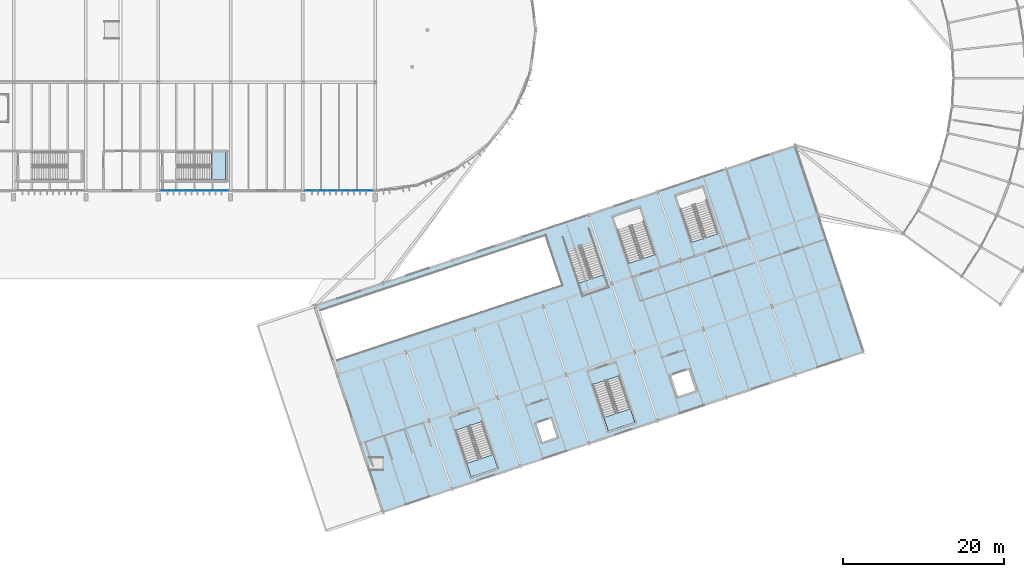
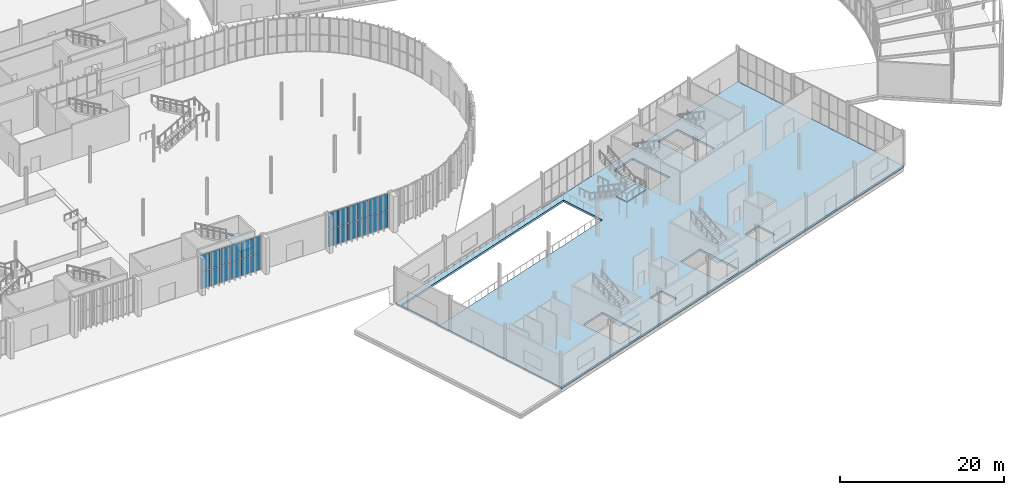
# One storey, part 107 of 158: 24 plates, 5 slabs, 6 elements without a shape of their own.
"""IFC4 building model written with IfcOpenShell, lengths in metres."""

from ifc_helpers import new_model, si_unit, derived_unit, direction, frame, origin, origin_2d, place, context, subcontext, project, spatial, polyline, rectangle, outline, extrude, material, layer, layer_set, type_object, element, aggregate, save


model = new_model("IFC4")

# Units and contexts
model_context = context("Model", 3, precision=1e-05, world=origin(), true_north=direction((0.0, 1.0)))
body_context = subcontext(model_context, "Body", "Model", "MODEL_VIEW")
ifc_project = project(units=[si_unit("LENGTHUNIT", "METRE"), si_unit("AREAUNIT", "SQUARE_METRE"), si_unit("VOLUMEUNIT", "CUBIC_METRE"), si_unit("PLANEANGLEUNIT", "RADIAN"), si_unit("MASSUNIT", "GRAM", prefix="KILO"), si_unit("THERMODYNAMICTEMPERATUREUNIT", "KELVIN"), si_unit("TIMEUNIT", "SECOND"), derived_unit("THERMALTRANSMITTANCEUNIT", [(si_unit("MASSUNIT", "GRAM", prefix="KILO"), 1), (si_unit("THERMODYNAMICTEMPERATUREUNIT", "KELVIN"), -1), (si_unit("TIMEUNIT", "SECOND"), -3)])], contexts=[model_context])

# Site, building, storey
site_placement = place(None, origin())
site = spatial("IfcSite", under=ifc_project, at=site_placement, CompositionType="ELEMENT")
building_placement = place(site_placement, origin())
building = spatial("IfcBuilding", under=site, at=building_placement, Name="Cambertide Market Hall", CompositionType="ELEMENT")
storey_placement = place(building_placement, origin())
storey = spatial("IfcBuildingStorey", under=building, at=storey_placement, Name="L01", CompositionType="ELEMENT", Elevation=0.0)

# Stair, slab
ifc_material_1 = material(Name="Concrete B35", Category="concrete")
stair_type_1 = type_object("IfcStairType", Name="Concrete Dogleg Stair ST-02B", PredefinedType="HALF_TURN_STAIR", material=ifc_material_1)
stair_1_placement = place(storey_placement, origin())
stair_1 = element("IfcStair", 1, at=stair_1_placement, inside=storey, type_object=stair_type_1, Name="Level 1 Exit Stair Core 02B", PredefinedType="HALF_TURN_STAIR")
ifc_material_2 = material(Name="Concrete B35", Category="concrete")
ifc_layer_1 = layer(ifc_material_2, 0.199951171875, Name="Concrete Stair Half-Landing 200")
ifc_layer_set_1 = layer_set([ifc_layer_1], Name="Concrete B35")
slab_type_1 = type_object("IfcSlabType", Name="Concrete Stair Half-Landing 200", PredefinedType="LANDING", material=ifc_layer_set_1)
slab_1_placement = place(storey_placement, frame((0.0, 0.0, 2.5)))
slab_1 = element("IfcSlab", 2, at=slab_1_placement, type_object=slab_type_1, Name="ST-02B landing 1", PredefinedType="LANDING", context=body_context, shape_type="SweptSolid", body=[
    extrude(outline(polyline([(84.64599609375, 53.300048828125), (86.39990234375, 53.300048828125), (86.39990234375, 56.800048828125), (84.64599609375, 56.800048828125), (84.64599609375, 53.300048828125)])), origin(), (0.0, 0.0, 1.0), 0.199951171875),
])
aggregate(stair_1, [slab_1])

ifc_material_3 = material(Name="Concrete B35", Category="concrete")
stair_type_2 = type_object("IfcStairType", Name="Concrete Dogleg Stair ST-05A", PredefinedType="HALF_TURN_STAIR", material=ifc_material_3)
stair_2_placement = place(storey_placement, origin())
stair_2 = element("IfcStair", 3, at=stair_2_placement, inside=storey, type_object=stair_type_2, Name="Level 1 Exit Stair Core 05A", PredefinedType="HALF_TURN_STAIR")
slab_2_placement = place(storey_placement, frame((0.0, 0.0, 2.5)))
slab_2 = element("IfcSlab", 4, at=slab_2_placement, type_object=slab_type_1, Name="ST-05A landing 1", PredefinedType="LANDING", context=body_context, shape_type="SweptSolid", body=[
    extrude(outline(polyline([(116.37109375, 18.043701171875), (116.92578125, 16.379638671875), (120.24609375, 17.486572265625), (119.69140625, 19.150634765625), (116.37109375, 18.043701171875)])), origin(), (0.0, 0.0, 1.0), 0.199951171875),
])
aggregate(stair_2, [slab_2])

ifc_material_4 = material(Name="Concrete B35", Category="concrete")
stair_type_3 = type_object("IfcStairType", Name="Concrete Dogleg Stair ST-06A", PredefinedType="HALF_TURN_STAIR", material=ifc_material_4)
stair_3_placement = place(storey_placement, origin())
stair_3 = element("IfcStair", 5, at=stair_3_placement, inside=storey, type_object=stair_type_3, Name="Level 1 Exit Stair Core 06A", PredefinedType="HALF_TURN_STAIR")
slab_3_placement = place(storey_placement, frame((0.0, 0.0, 2.5)))
slab_3 = element("IfcSlab", 6, at=slab_3_placement, type_object=slab_type_1, Name="ST-06A landing 1", PredefinedType="LANDING", context=body_context, shape_type="SweptSolid", body=[
    extrude(outline(polyline([(133.447265625, 23.73583984375), (134.001953125, 22.07177734375), (137.322265625, 23.1787109375), (136.767578125, 24.842529296875), (133.447265625, 23.73583984375)])), origin(), (0.0, 0.0, 1.0), 0.199951171875),
])
aggregate(stair_3, [slab_3])

ifc_material_5 = material(Name="Concrete B35", Category="concrete")
stair_type_4 = type_object("IfcStairType", Name="Concrete Dogleg Stair ST-12", PredefinedType="HALF_TURN_STAIR", material=ifc_material_5)
stair_4_placement = place(storey_placement, origin())
stair_4 = element("IfcStair", 7, at=stair_4_placement, inside=storey, type_object=stair_type_4, Name="Level 1 Riverside Food Court Atrium Stair", PredefinedType="HALF_TURN_STAIR")
slab_4_placement = place(storey_placement, frame((0.0, 0.0, 2.5)))
slab_4 = element("IfcSlab", 8, at=slab_4_placement, type_object=slab_type_1, Name="ST-12 landing 1", PredefinedType="LANDING", context=body_context, shape_type="SweptSolid", body=[
    extrude(outline(polyline([(130.237548828125, 40.480224609375), (130.792236328125, 38.816162109375), (134.112548828125, 39.9228515625), (133.55810546875, 41.5869140625), (130.237548828125, 40.480224609375)])), origin(), (0.0, 0.0, 1.0), 0.199951171875),
])
aggregate(stair_4, [slab_4])

# Slab
ifc_material_6 = material(Name="Concrete B35", Category="concrete")
ifc_layer_2 = layer(ifc_material_6, 0.300048828125, Name="Ground Plinth Structural Slab 300")
ifc_layer_set_2 = layer_set([ifc_layer_2], Name="Concrete B35")
slab_type_2 = type_object("IfcSlabType", Name="Ground Plinth Structural Slab 300", PredefinedType="FLOOR", material=ifc_layer_set_2)
slab_5_placement = place(storey_placement, frame((0.0, 0.0, -0.300048828125)))
element("IfcSlab", 9, at=slab_5_placement, inside=storey, type_object=slab_type_2, Name="Level 1 Slab SLB-L01-V3", PredefinedType="FLOOR", context=body_context, shape_type="SweptSolid", body=[
    extrude(outline(polyline([(106.0, 12.0), (165.76708984375, 31.92236328125), (157.22900390625, 57.536865234375), (97.4619140625, 37.614501953125), (106.0, 12.0)]), holes=[polyline([(118.318359375, 23.269775390625), (120.24609375, 17.486572265625), (116.92578125, 16.379638671875), (114.998046875, 22.162841796875), (118.318359375, 23.269775390625)]), polyline([(144.357177734375, 45.5556640625), (142.429443359375, 51.338623046875), (145.749755859375, 52.445556640625), (147.677490234375, 46.662353515625), (144.357177734375, 45.5556640625)]), polyline([(135.39453125, 28.9619140625), (137.322265625, 23.1787109375), (134.001953125, 22.07177734375), (132.07421875, 27.85498046875), (135.39453125, 28.9619140625)]), polyline([(136.530517578125, 42.94677734375), (134.602783203125, 48.729736328125), (137.923095703125, 49.836669921875), (139.850830078125, 44.053466796875), (136.530517578125, 42.94677734375)]), polyline([(124.989501953125, 23.0205078125), (126.886962890625, 23.653076171875), (127.677490234375, 21.28125), (125.780029296875, 20.64892578125), (124.989501953125, 23.0205078125)]), polyline([(141.765380859375, 28.9814453125), (144.042236328125, 29.740478515625), (144.927734375, 27.083984375), (142.65087890625, 26.3251953125), (141.765380859375, 28.9814453125)]), polyline([(97.904541015625, 36.918701171875), (126.17529296875, 46.34228515625), (128.19921875, 40.270751953125), (99.928466796875, 30.84716796875), (97.904541015625, 36.918701171875)])]), origin(), (0.0, 0.0, 1.0), 0.300048828125),
])

# Curtain wall, plates
ifc_material_7 = material(Name="Marine Anodized Aluminium 6063-T6 AA25", Category="aluminium")
curtain_wall_type = type_object("IfcCurtainWallType", Name="Lantern Straight Lower Curtain Wall", PredefinedType="USERDEFINED", material=ifc_material_7)
curtain_wall_1_placement = place(storey_placement, origin())
curtain_wall_1 = element("IfcCurtainWall", 10, at=curtain_wall_1_placement, inside=storey, type_object=curtain_wall_type, Name="Level 1 Curtain Wall CW-V1S-L01-5", ObjectType="UNITIZED CURTAIN WALL", PredefinedType="USERDEFINED")
ifc_material_8 = material(Name="Low-E Laminated Insulated Glass", Category="glass")
ifc_layer_3 = layer(ifc_material_8, 0.028076171875, Name="Vision Insulated Glazing Panel 28")
ifc_layer_set_3 = layer_set([ifc_layer_3], Name="Low-E Laminated Insulated Glass")
plate_type = type_object("IfcPlateType", Name="Vision Insulated Glazing Panel 28", PredefinedType="CURTAIN_PANEL", material=ifc_layer_set_3)
plate_1_placement = place(storey_placement, frame((86.041748046875, 52.0, 0.0400390625), z_axis=(0.0, 0.0, 1.0), x_axis=(-1.0, 0.0, 0.0)))
plate_1 = element("IfcPlate", 11, at=plate_1_placement, type_object=plate_type, Name="CW-V1S-L01-5 Glazing Panel 1-1", PredefinedType="CURTAIN_PANEL", context=body_context, shape_type="SweptSolid", body=[
    extrude(rectangle(XDim=1.336669921875, YDim=0.028076171875, at=origin_2d()), origin(), (0.0, 0.0, 1.0), 2.5),
])
plate_2_placement = place(storey_placement, frame((84.625, 52.0, 0.0400390625), z_axis=(0.0, 0.0, 1.0), x_axis=(-1.0, 0.0, 0.0)))
plate_2 = element("IfcPlate", 12, at=plate_2_placement, type_object=plate_type, Name="CW-V1S-L01-5 Glazing Panel 1-2", PredefinedType="CURTAIN_PANEL", context=body_context, shape_type="SweptSolid", body=[
    extrude(rectangle(XDim=1.336669921875, YDim=0.028076171875, at=origin_2d()), origin(), (0.0, 0.0, 1.0), 2.5),
])
plate_3_placement = place(storey_placement, frame((83.208251953125, 52.0, 0.0400390625), z_axis=(0.0, 0.0, 1.0), x_axis=(-1.0, 0.0, 0.0)))
plate_3 = element("IfcPlate", 13, at=plate_3_placement, type_object=plate_type, Name="CW-V1S-L01-5 Glazing Panel 1-3", PredefinedType="CURTAIN_PANEL", context=body_context, shape_type="SweptSolid", body=[
    extrude(rectangle(XDim=1.336669921875, YDim=0.028076171875, at=origin_2d()), origin(), (0.0, 0.0, 1.0), 2.5),
])
plate_4_placement = place(storey_placement, frame((81.791748046875, 52.0, 0.0400390625), z_axis=(0.0, 0.0, 1.0), x_axis=(-1.0, 0.0, 0.0)))
plate_4 = element("IfcPlate", 14, at=plate_4_placement, type_object=plate_type, Name="CW-V1S-L01-5 Glazing Panel 1-4", PredefinedType="CURTAIN_PANEL", context=body_context, shape_type="SweptSolid", body=[
    extrude(rectangle(XDim=1.336669921875, YDim=0.028076171875, at=origin_2d()), origin(), (0.0, 0.0, 1.0), 2.5),
])
plate_5_placement = place(storey_placement, frame((80.375, 52.0, 0.0400390625), z_axis=(0.0, 0.0, 1.0), x_axis=(-1.0, 0.0, 0.0)))
plate_5 = element("IfcPlate", 15, at=plate_5_placement, type_object=plate_type, Name="CW-V1S-L01-5 Glazing Panel 1-5", PredefinedType="CURTAIN_PANEL", context=body_context, shape_type="SweptSolid", body=[
    extrude(rectangle(XDim=1.336669921875, YDim=0.028076171875, at=origin_2d()), origin(), (0.0, 0.0, 1.0), 2.5),
])
plate_6_placement = place(storey_placement, frame((78.958251953125, 52.0, 0.0400390625), z_axis=(0.0, 0.0, 1.0), x_axis=(-1.0, 0.0, 0.0)))
plate_6 = element("IfcPlate", 16, at=plate_6_placement, type_object=plate_type, Name="CW-V1S-L01-5 Glazing Panel 1-6", PredefinedType="CURTAIN_PANEL", context=body_context, shape_type="SweptSolid", body=[
    extrude(rectangle(XDim=1.336669921875, YDim=0.028076171875, at=origin_2d()), origin(), (0.0, 0.0, 1.0), 2.5),
])
plate_7_placement = place(storey_placement, frame((86.041748046875, 52.0, 2.6201171875), z_axis=(0.0, 0.0, 1.0), x_axis=(-1.0, 0.0, 0.0)))
plate_7 = element("IfcPlate", 17, at=plate_7_placement, type_object=plate_type, Name="CW-V1S-L01-5 Glazing Panel 2-1", PredefinedType="CURTAIN_PANEL", context=body_context, shape_type="SweptSolid", body=[
    extrude(rectangle(XDim=1.336669921875, YDim=0.028076171875, at=origin_2d()), origin(), (0.0, 0.0, 1.0), 2.5),
])
plate_8_placement = place(storey_placement, frame((84.625, 52.0, 2.6201171875), z_axis=(0.0, 0.0, 1.0), x_axis=(-1.0, 0.0, 0.0)))
plate_8 = element("IfcPlate", 18, at=plate_8_placement, type_object=plate_type, Name="CW-V1S-L01-5 Glazing Panel 2-2", PredefinedType="CURTAIN_PANEL", context=body_context, shape_type="SweptSolid", body=[
    extrude(rectangle(XDim=1.336669921875, YDim=0.028076171875, at=origin_2d()), origin(), (0.0, 0.0, 1.0), 2.5),
])
plate_9_placement = place(storey_placement, frame((83.208251953125, 52.0, 2.6201171875), z_axis=(0.0, 0.0, 1.0), x_axis=(-1.0, 0.0, 0.0)))
plate_9 = element("IfcPlate", 19, at=plate_9_placement, type_object=plate_type, Name="CW-V1S-L01-5 Glazing Panel 2-3", PredefinedType="CURTAIN_PANEL", context=body_context, shape_type="SweptSolid", body=[
    extrude(rectangle(XDim=1.336669921875, YDim=0.028076171875, at=origin_2d()), origin(), (0.0, 0.0, 1.0), 2.5),
])
plate_10_placement = place(storey_placement, frame((81.791748046875, 52.0, 2.6201171875), z_axis=(0.0, 0.0, 1.0), x_axis=(-1.0, 0.0, 0.0)))
plate_10 = element("IfcPlate", 20, at=plate_10_placement, type_object=plate_type, Name="CW-V1S-L01-5 Glazing Panel 2-4", PredefinedType="CURTAIN_PANEL", context=body_context, shape_type="SweptSolid", body=[
    extrude(rectangle(XDim=1.336669921875, YDim=0.028076171875, at=origin_2d()), origin(), (0.0, 0.0, 1.0), 2.5),
])
plate_11_placement = place(storey_placement, frame((80.375, 52.0, 2.6201171875), z_axis=(0.0, 0.0, 1.0), x_axis=(-1.0, 0.0, 0.0)))
plate_11 = element("IfcPlate", 21, at=plate_11_placement, type_object=plate_type, Name="CW-V1S-L01-5 Glazing Panel 2-5", PredefinedType="CURTAIN_PANEL", context=body_context, shape_type="SweptSolid", body=[
    extrude(rectangle(XDim=1.336669921875, YDim=0.028076171875, at=origin_2d()), origin(), (0.0, 0.0, 1.0), 2.5),
])
plate_12_placement = place(storey_placement, frame((78.958251953125, 52.0, 2.6201171875), z_axis=(0.0, 0.0, 1.0), x_axis=(-1.0, 0.0, 0.0)))
plate_12 = element("IfcPlate", 22, at=plate_12_placement, type_object=plate_type, Name="CW-V1S-L01-5 Glazing Panel 2-6", PredefinedType="CURTAIN_PANEL", context=body_context, shape_type="SweptSolid", body=[
    extrude(rectangle(XDim=1.336669921875, YDim=0.028076171875, at=origin_2d()), origin(), (0.0, 0.0, 1.0), 2.5),
])
aggregate(curtain_wall_1, [plate_1, plate_2, plate_3, plate_4, plate_5, plate_6, plate_7, plate_8, plate_9, plate_10, plate_11, plate_12])

curtain_wall_2_placement = place(storey_placement, origin())
curtain_wall_2 = element("IfcCurtainWall", 23, at=curtain_wall_2_placement, inside=storey, type_object=curtain_wall_type, Name="Level 1 Curtain Wall CW-V1S-L01-7", ObjectType="UNITIZED CURTAIN WALL", PredefinedType="USERDEFINED")
plate_13_placement = place(storey_placement, frame((104.041748046875, 52.0, 0.0400390625), z_axis=(0.0, 0.0, 1.0), x_axis=(-1.0, 0.0, 0.0)))
plate_13 = element("IfcPlate", 24, at=plate_13_placement, type_object=plate_type, Name="CW-V1S-L01-7 Glazing Panel 1-1", PredefinedType="CURTAIN_PANEL", context=body_context, shape_type="SweptSolid", body=[
    extrude(rectangle(XDim=1.336669921875, YDim=0.028076171875, at=origin_2d()), origin(), (0.0, 0.0, 1.0), 2.5),
])
plate_14_placement = place(storey_placement, frame((102.625, 52.0, 0.0400390625), z_axis=(0.0, 0.0, 1.0), x_axis=(-1.0, 0.0, 0.0)))
plate_14 = element("IfcPlate", 25, at=plate_14_placement, type_object=plate_type, Name="CW-V1S-L01-7 Glazing Panel 1-2", PredefinedType="CURTAIN_PANEL", context=body_context, shape_type="SweptSolid", body=[
    extrude(rectangle(XDim=1.336669921875, YDim=0.028076171875, at=origin_2d()), origin(), (0.0, 0.0, 1.0), 2.5),
])
plate_15_placement = place(storey_placement, frame((101.208251953125, 52.0, 0.0400390625), z_axis=(0.0, 0.0, 1.0), x_axis=(-1.0, 0.0, 0.0)))
plate_15 = element("IfcPlate", 26, at=plate_15_placement, type_object=plate_type, Name="CW-V1S-L01-7 Glazing Panel 1-3", PredefinedType="CURTAIN_PANEL", context=body_context, shape_type="SweptSolid", body=[
    extrude(rectangle(XDim=1.336669921875, YDim=0.028076171875, at=origin_2d()), origin(), (0.0, 0.0, 1.0), 2.5),
])
plate_16_placement = place(storey_placement, frame((99.791748046875, 52.0, 0.0400390625), z_axis=(0.0, 0.0, 1.0), x_axis=(-1.0, 0.0, 0.0)))
plate_16 = element("IfcPlate", 27, at=plate_16_placement, type_object=plate_type, Name="CW-V1S-L01-7 Glazing Panel 1-4", PredefinedType="CURTAIN_PANEL", context=body_context, shape_type="SweptSolid", body=[
    extrude(rectangle(XDim=1.336669921875, YDim=0.028076171875, at=origin_2d()), origin(), (0.0, 0.0, 1.0), 2.5),
])
plate_17_placement = place(storey_placement, frame((98.375, 52.0, 0.0400390625), z_axis=(0.0, 0.0, 1.0), x_axis=(-1.0, 0.0, 0.0)))
plate_17 = element("IfcPlate", 28, at=plate_17_placement, type_object=plate_type, Name="CW-V1S-L01-7 Glazing Panel 1-5", PredefinedType="CURTAIN_PANEL", context=body_context, shape_type="SweptSolid", body=[
    extrude(rectangle(XDim=1.336669921875, YDim=0.028076171875, at=origin_2d()), origin(), (0.0, 0.0, 1.0), 2.5),
])
plate_18_placement = place(storey_placement, frame((96.958251953125, 52.0, 0.0400390625), z_axis=(0.0, 0.0, 1.0), x_axis=(-1.0, 0.0, 0.0)))
plate_18 = element("IfcPlate", 29, at=plate_18_placement, type_object=plate_type, Name="CW-V1S-L01-7 Glazing Panel 1-6", PredefinedType="CURTAIN_PANEL", context=body_context, shape_type="SweptSolid", body=[
    extrude(rectangle(XDim=1.336669921875, YDim=0.028076171875, at=origin_2d()), origin(), (0.0, 0.0, 1.0), 2.5),
])
plate_19_placement = place(storey_placement, frame((104.041748046875, 52.0, 2.6201171875), z_axis=(0.0, 0.0, 1.0), x_axis=(-1.0, 0.0, 0.0)))
plate_19 = element("IfcPlate", 30, at=plate_19_placement, type_object=plate_type, Name="CW-V1S-L01-7 Glazing Panel 2-1", PredefinedType="CURTAIN_PANEL", context=body_context, shape_type="SweptSolid", body=[
    extrude(rectangle(XDim=1.336669921875, YDim=0.028076171875, at=origin_2d()), origin(), (0.0, 0.0, 1.0), 2.5),
])
plate_20_placement = place(storey_placement, frame((102.625, 52.0, 2.6201171875), z_axis=(0.0, 0.0, 1.0), x_axis=(-1.0, 0.0, 0.0)))
plate_20 = element("IfcPlate", 31, at=plate_20_placement, type_object=plate_type, Name="CW-V1S-L01-7 Glazing Panel 2-2", PredefinedType="CURTAIN_PANEL", context=body_context, shape_type="SweptSolid", body=[
    extrude(rectangle(XDim=1.336669921875, YDim=0.028076171875, at=origin_2d()), origin(), (0.0, 0.0, 1.0), 2.5),
])
plate_21_placement = place(storey_placement, frame((101.208251953125, 52.0, 2.6201171875), z_axis=(0.0, 0.0, 1.0), x_axis=(-1.0, 0.0, 0.0)))
plate_21 = element("IfcPlate", 32, at=plate_21_placement, type_object=plate_type, Name="CW-V1S-L01-7 Glazing Panel 2-3", PredefinedType="CURTAIN_PANEL", context=body_context, shape_type="SweptSolid", body=[
    extrude(rectangle(XDim=1.336669921875, YDim=0.028076171875, at=origin_2d()), origin(), (0.0, 0.0, 1.0), 2.5),
])
plate_22_placement = place(storey_placement, frame((99.791748046875, 52.0, 2.6201171875), z_axis=(0.0, 0.0, 1.0), x_axis=(-1.0, 0.0, 0.0)))
plate_22 = element("IfcPlate", 33, at=plate_22_placement, type_object=plate_type, Name="CW-V1S-L01-7 Glazing Panel 2-4", PredefinedType="CURTAIN_PANEL", context=body_context, shape_type="SweptSolid", body=[
    extrude(rectangle(XDim=1.336669921875, YDim=0.028076171875, at=origin_2d()), origin(), (0.0, 0.0, 1.0), 2.5),
])
plate_23_placement = place(storey_placement, frame((98.375, 52.0, 2.6201171875), z_axis=(0.0, 0.0, 1.0), x_axis=(-1.0, 0.0, 0.0)))
plate_23 = element("IfcPlate", 34, at=plate_23_placement, type_object=plate_type, Name="CW-V1S-L01-7 Glazing Panel 2-5", PredefinedType="CURTAIN_PANEL", context=body_context, shape_type="SweptSolid", body=[
    extrude(rectangle(XDim=1.336669921875, YDim=0.028076171875, at=origin_2d()), origin(), (0.0, 0.0, 1.0), 2.5),
])
plate_24_placement = place(storey_placement, frame((96.958251953125, 52.0, 2.6201171875), z_axis=(0.0, 0.0, 1.0), x_axis=(-1.0, 0.0, 0.0)))
plate_24 = element("IfcPlate", 35, at=plate_24_placement, type_object=plate_type, Name="CW-V1S-L01-7 Glazing Panel 2-6", PredefinedType="CURTAIN_PANEL", context=body_context, shape_type="SweptSolid", body=[
    extrude(rectangle(XDim=1.336669921875, YDim=0.028076171875, at=origin_2d()), origin(), (0.0, 0.0, 1.0), 2.5),
])
aggregate(curtain_wall_2, [plate_13, plate_14, plate_15, plate_16, plate_17, plate_18, plate_19, plate_20, plate_21, plate_22, plate_23, plate_24])

save(model, "model.ifc")
